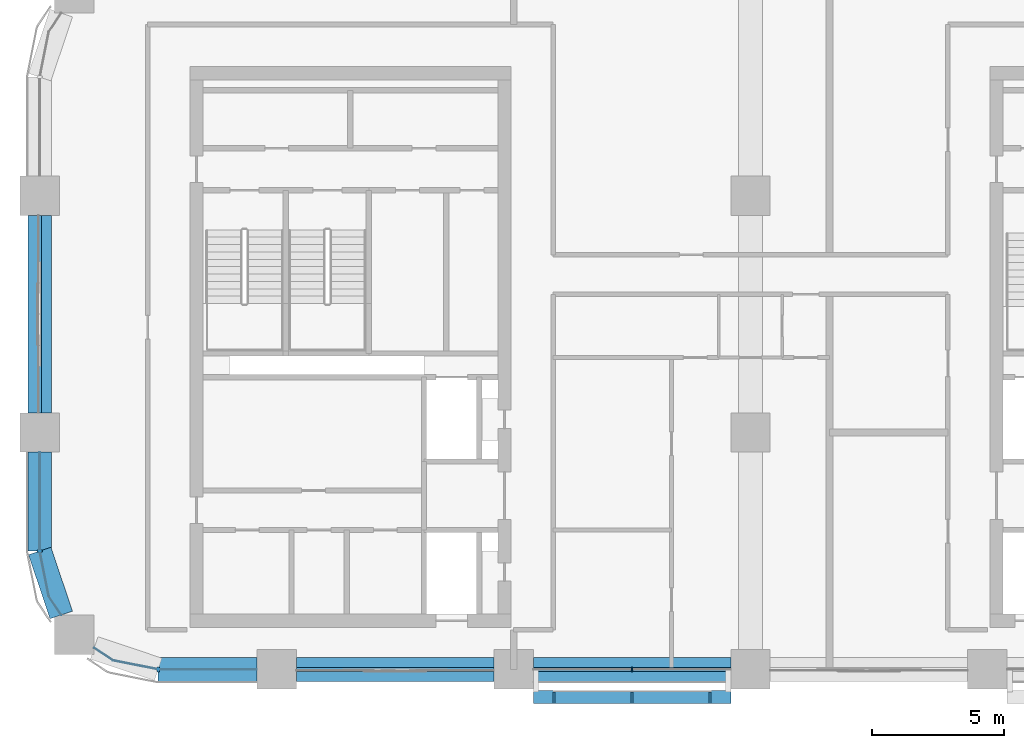
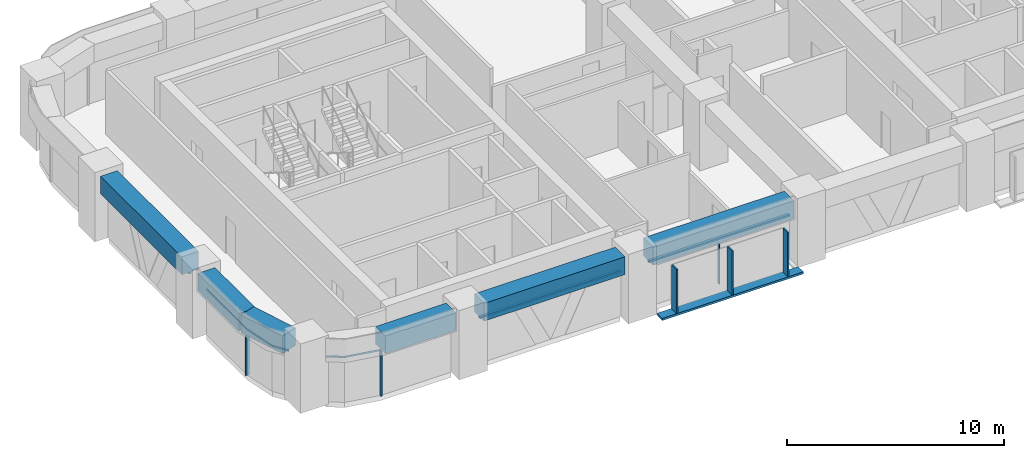
# One storey, part 2 of 13: 11 members, 7 beams, 5 elements without a shape of their own.
"""IFC4 building model written with IfcOpenShell, lengths in metres."""

from ifc_helpers import new_model, si_unit, direction, frame, origin, origin_2d, place, context, subcontext, project, spatial, polyline, rectangle, outline, extrude, material, material_profile, profile_set, type_object, element, aggregate, save


model = new_model("IFC4")

# Units and contexts
model_context = context("Model", 3, precision=1e-05, world=origin(), true_north=direction((0.0, 1.0)))
body_context = subcontext(model_context, "Body", "Model", "MODEL_VIEW")
ifc_project = project(units=[si_unit("LENGTHUNIT", "METRE"), si_unit("AREAUNIT", "SQUARE_METRE"), si_unit("VOLUMEUNIT", "CUBIC_METRE"), si_unit("PLANEANGLEUNIT", "RADIAN"), si_unit("MASSUNIT", "GRAM", prefix="KILO")], contexts=[model_context])

# Site, building, storey
site_placement = place(None, origin())
site = spatial("IfcSite", under=ifc_project, at=site_placement, CompositionType="ELEMENT")
building_placement = place(site_placement, origin())
building = spatial("IfcBuilding", under=site, at=building_placement, Name="Tessera Arch", CompositionType="ELEMENT")
storey_placement = place(building_placement, frame((0.0, 0.0, 158.300048828125)))
storey = spatial("IfcBuildingStorey", under=building, at=storey_placement, Name="L37", CompositionType="ELEMENT", Elevation=158.300048828125)

# Curtain wall, members
ifc_material_1 = material(Name="CW1 curtain wall")
curtain_wall_type_1 = type_object("IfcCurtainWallType", Name="CW1 curtain wall", PredefinedType="NOTDEFINED", material=ifc_material_1)
curtain_wall_1_placement = place(storey_placement, origin())
curtain_wall_1 = element("IfcCurtainWall", 1, at=curtain_wall_1_placement, inside=storey, type_object=curtain_wall_type_1, Name="CW1 curtain wall S27.0/2 L37", PredefinedType="NOTDEFINED")
ifc_material_2 = material(Name="Anodised aluminium pale metal", Category="aluminium")
ifc_material_profile_1 = material_profile(ifc_material_2, rectangle(XDim=0.159912109375, YDim=0.06005859375, at=origin_2d()), Name="AL 60x160")
ifc_profile_set_1 = profile_set([ifc_material_profile_1], Name="Anodised aluminium pale metal")
member_type_1 = type_object("IfcMemberType", Name="CW1 mullion", PredefinedType="MULLION", material=ifc_profile_set_1)
member_1_placement = place(storey_placement, frame((22.5, 27.0, 0.0), z_axis=(0.0, 0.0, 1.0), x_axis=(0.0, 1.0, 0.0)))
member_1 = element("IfcMember", 2, at=member_1_placement, type_object=member_type_1, Name="CW1 mullion S27.0/2 1", PredefinedType="MULLION", context=body_context, shape_type="SweptSolid", body=[
    extrude(rectangle(XDim=0.159912109375, YDim=0.06005859375, at=origin_2d()), origin(), (0.0, 0.0, 1.0), 2.5),
])
ifc_material_3 = material(Name="Anodised aluminium pale metal", Category="aluminium")
ifc_material_profile_2 = material_profile(ifc_material_3, rectangle(XDim=0.159912109375, YDim=0.10009765625, at=origin_2d()), Name="AL 160x100")
ifc_profile_set_2 = profile_set([ifc_material_profile_2], Name="Anodised aluminium pale metal")
member_type_2 = type_object("IfcMemberType", Name="CW1 transom", PredefinedType="USERDEFINED", material=ifc_profile_set_2)
member_2_placement = place(storey_placement, frame((18.75, 27.0, 2.550048828125), z_axis=(1.0, 0.0, 0.0), x_axis=(0.0, 1.0, 0.0)))
member_2 = element("IfcMember", 3, at=member_2_placement, type_object=member_type_2, Name="CW1 transom S27.0/2 1.1", ObjectType="TRANSOM", PredefinedType="USERDEFINED", context=body_context, shape_type="SweptSolid", body=[
    extrude(rectangle(XDim=0.159912109375, YDim=0.10009765625, at=origin_2d()), origin(), (0.0, 0.0, 1.0), 7.5),
])
aggregate(curtain_wall_1, [member_1, member_2])

# Curtain wall, member
ifc_material_4 = material(Name="CW2 curtain wall")
curtain_wall_type_2 = type_object("IfcCurtainWallType", Name="CW2 curtain wall", PredefinedType="NOTDEFINED", material=ifc_material_4)
curtain_wall_2_placement = place(storey_placement, origin())
curtain_wall_2 = element("IfcCurtainWall", 4, at=curtain_wall_2_placement, inside=storey, type_object=curtain_wall_type_2, Name="CW2 curtain wall W0.27/2 L37", PredefinedType="NOTDEFINED")
ifc_material_5 = material(Name="Anodised aluminium pale metal", Category="aluminium")
ifc_material_profile_3 = material_profile(ifc_material_5, rectangle(XDim=0.199951171875, YDim=0.080078125, at=origin_2d()), Name="AL 80x200")
ifc_profile_set_3 = profile_set([ifc_material_profile_3], Name="Anodised aluminium pale metal")
member_type_3 = type_object("IfcMemberType", Name="CW2 mullion", PredefinedType="MULLION", material=ifc_profile_set_3)
member_3_placement = place(storey_placement, frame((0.0, 31.5, 0.0), z_axis=(0.0, 0.0, 1.0), x_axis=(1.0, 0.0, 0.0)))
member_3 = element("IfcMember", 5, at=member_3_placement, type_object=member_type_3, Name="CW2 mullion W0.27/2 1", PredefinedType="MULLION", context=body_context, shape_type="SweptSolid", body=[
    extrude(rectangle(XDim=0.199951171875, YDim=0.080078125, at=origin_2d()), origin(), (0.0, 0.0, 1.0), 2.5),
])

curtain_wall_3_placement = place(storey_placement, origin())
curtain_wall_3 = element("IfcCurtainWall", 6, at=curtain_wall_3_placement, inside=storey, type_object=curtain_wall_type_2, Name="CW2 curtain wall S27.0/0 L37", PredefinedType="NOTDEFINED")
member_4_placement = place(storey_placement, frame((4.5, 27.0, 0.0), z_axis=(0.0, 0.0, 1.0), x_axis=(0.0, 1.0, 0.0)))
member_4 = element("IfcMember", 7, at=member_4_placement, type_object=member_type_3, Name="CW2 mullion S27.0/0 1", PredefinedType="MULLION", context=body_context, shape_type="SweptSolid", body=[
    extrude(rectangle(XDim=0.199951171875, YDim=0.080078125, at=origin_2d()), origin(), (0.0, 0.0, 1.0), 2.5),
])

# Member
ifc_material_6 = material(Name="Anodised aluminium pale metal", Category="aluminium")
ifc_material_profile_4 = material_profile(ifc_material_6, rectangle(XDim=0.199951171875, YDim=0.10009765625, at=origin_2d()), Name="AL 200x100")
ifc_profile_set_4 = profile_set([ifc_material_profile_4], Name="Anodised aluminium pale metal")
member_type_4 = type_object("IfcMemberType", Name="CW2 transom", PredefinedType="USERDEFINED", material=ifc_profile_set_4)
member_5_placement = place(storey_placement, frame((0.0, 0.0, 2.5)))
member_5 = element("IfcMember", 8, at=member_5_placement, type_object=member_type_4, Name="CW2 transom W0.27/2 1", ObjectType="TRANSOM", PredefinedType="USERDEFINED", context=body_context, shape_type="SweptSolid", body=[
    extrude(outline(polyline([(0.010009765625, 31.5009765625), (0.010009765625, 35.25), (-0.010009765625, 35.25), (-0.010009765625, 31.4990234375), (0.3330078125, 29.77392578125), (0.80859375, 29.0625), (0.8251953125, 29.073486328125), (0.351806640625, 29.78173828125), (0.010009765625, 31.5009765625)])), origin(), (0.0, 0.0, 1.0), 0.099853515625),
])

aggregate(curtain_wall_2, [member_3, member_5])

member_6_placement = place(storey_placement, frame((0.0, 0.0, 2.5)))
member_6 = element("IfcMember", 9, at=member_6_placement, type_object=member_type_4, Name="CW2 transom S27.0/0 1", ObjectType="TRANSOM", PredefinedType="USERDEFINED", context=body_context, shape_type="SweptSolid", body=[
    extrude(outline(polyline([(2.78173828125, 27.351806640625), (2.073486328125, 27.8251953125), (2.0625, 27.80859375), (2.77392578125, 27.3330078125), (4.4990234375, 26.989990234375), (8.25, 26.989990234375), (8.25, 27.010009765625), (4.5009765625, 27.010009765625), (2.78173828125, 27.351806640625)])), origin(), (0.0, 0.0, 1.0), 0.099853515625),
])

aggregate(curtain_wall_3, [member_4, member_6])

# Curtain wall, member
ifc_material_7 = material(Name="CW3 curtain wall")
curtain_wall_type_3 = type_object("IfcCurtainWallType", Name="CW3 curtain wall", PredefinedType="NOTDEFINED", material=ifc_material_7)
curtain_wall_4_placement = place(storey_placement, origin())
curtain_wall_4 = element("IfcCurtainWall", 10, at=curtain_wall_4_placement, inside=storey, type_object=curtain_wall_type_3, Name="CW3 curtain wall W0.27/1 L37", PredefinedType="NOTDEFINED")
ifc_material_8 = material(Name="Anodised aluminium pale metal", Category="aluminium")
ifc_material_profile_5 = material_profile(ifc_material_8, rectangle(XDim=0.139892578125, YDim=0.10009765625, at=origin_2d()), Name="AL 140x100")
ifc_profile_set_5 = profile_set([ifc_material_profile_5], Name="Anodised aluminium pale metal")
member_type_5 = type_object("IfcMemberType", Name="CW3 transom", PredefinedType="USERDEFINED", material=ifc_profile_set_5)
member_7_placement = place(storey_placement, frame((0.0, 44.25, 2.550048828125), z_axis=(0.0, -1.0, 0.0), x_axis=(1.0, 0.0, 0.0)))
member_7 = element("IfcMember", 11, at=member_7_placement, type_object=member_type_5, Name="CW3 transom W0.27/1 1.1", ObjectType="TRANSOM", PredefinedType="USERDEFINED", context=body_context, shape_type="SweptSolid", body=[
    extrude(rectangle(XDim=0.139892578125, YDim=0.10009765625, at=origin_2d()), origin(), (0.0, 0.0, 1.0), 7.5),
])
aggregate(curtain_wall_4, [member_7])

curtain_wall_5_placement = place(storey_placement, origin())
curtain_wall_5 = element("IfcCurtainWall", 12, at=curtain_wall_5_placement, inside=storey, type_object=curtain_wall_type_3, Name="CW3 curtain wall S27.0/1 L37", PredefinedType="NOTDEFINED")
member_8_placement = place(storey_placement, frame((9.75, 27.0, 2.550048828125), z_axis=(1.0, 0.0, 0.0), x_axis=(0.0, 1.0, 0.0)))
member_8 = element("IfcMember", 13, at=member_8_placement, type_object=member_type_5, Name="CW3 transom S27.0/1 1.1", ObjectType="TRANSOM", PredefinedType="USERDEFINED", context=body_context, shape_type="SweptSolid", body=[
    extrude(rectangle(XDim=0.139892578125, YDim=0.10009765625, at=origin_2d()), origin(), (0.0, 0.0, 1.0), 7.5),
])
aggregate(curtain_wall_5, [member_8])

# Members
ifc_material_9 = material(Name="Anodised aluminium pale metal", Category="aluminium")
ifc_material_profile_6 = material_profile(ifc_material_9, rectangle(XDim=0.449951171875, YDim=0.080078125, at=origin_2d()), Name="AL 80x450")
ifc_profile_set_6 = profile_set([ifc_material_profile_6], Name="Anodised aluminium pale metal")
member_type_6 = type_object("IfcMemberType", Name="Mashrabiya fin", PredefinedType="USERDEFINED", material=ifc_profile_set_6)
for number, where, z_axis, x_axis, name in (
    (14, (19.5400390625, 25.925048828125, 0.119873046875), (0.0, 0.0, 1.0), (0.0, -1.0, 0.0), "FIN mashrabiya S27.0/2 1"),
    (15, (22.5, 25.925048828125, 0.119873046875), (0.0, 0.0, 1.0), (0.0, -1.0, 0.0), "FIN mashrabiya S27.0/2 2"),
    (16, (25.4599609375, 25.925048828125, 0.119873046875), (0.0, 0.0, 1.0), (0.0, -1.0, 0.0), "FIN mashrabiya S27.0/2 3"),
):
    element("IfcMember", number, at=place(storey_placement, frame(where, z_axis=z_axis, x_axis=x_axis)), inside=storey, type_object=member_type_6, Name=name, ObjectType="FIN", PredefinedType="USERDEFINED", context=body_context, shape_type="SweptSolid", body=[
        extrude(rectangle(XDim=0.449951171875, YDim=0.080078125, at=origin_2d()), origin(), (0.0, 0.0, 1.0), 2.47998046875),
    ])

# Beams
ifc_material_10 = material(Name="Concrete C70/85", Category="concrete")
ifc_material_profile_7 = material_profile(ifc_material_10, rectangle(XDim=0.89990234375, YDim=1.0, at=origin_2d()), Name="RC spandrel beam 900 x 1000 Concrete C70/85")
ifc_profile_set_7 = profile_set([ifc_material_profile_7], Name="Concrete C70/85")
beam_type_1 = type_object("IfcBeamType", Name="RC spandrel beam 900 x 1000 Concrete C70/85", PredefinedType="BEAM", material=ifc_profile_set_7)
beam_1_placement = place(storey_placement, frame((0.0, 44.25, 3.099853515625), z_axis=(0.0, -1.0, 0.0), x_axis=(1.0, 0.0, 0.0)))
element("IfcBeam", 17, at=beam_1_placement, inside=storey, type_object=beam_type_1, Name="Spandrel beam L37 W0.27/1", PredefinedType="BEAM", context=body_context, shape_type="SweptSolid", body=[
    extrude(rectangle(XDim=0.89990234375, YDim=1.0, at=origin_2d()), origin(), (0.0, 0.0, 1.0), 7.5),
])
beam_2_placement = place(storey_placement, frame((0.0, 35.25, 3.099853515625), z_axis=(0.0, -1.0, 0.0), x_axis=(1.0, 0.0, 0.0)))
element("IfcBeam", 18, at=beam_2_placement, inside=storey, type_object=beam_type_1, Name="Spandrel beam L37 W0.27/2.1", PredefinedType="BEAM", context=body_context, shape_type="SweptSolid", body=[
    extrude(rectangle(XDim=0.89990234375, YDim=1.0, at=origin_2d()), origin(), (0.0, 0.0, 1.0), 3.75),
])
beam_3_placement = place(storey_placement, frame((0.0, 31.5, 3.099853515625), z_axis=(0.31842525032, -0.947947973234, 0.0), x_axis=(0.947947973234, 0.31842525032, 0.0)))
element("IfcBeam", 19, at=beam_3_placement, inside=storey, type_object=beam_type_1, Name="Spandrel beam L37 W0.27/2.2", PredefinedType="BEAM", context=body_context, shape_type="SweptSolid", body=[
    extrude(rectangle(XDim=0.89990234375, YDim=1.0, at=origin_2d()), origin(), (0.0, 0.0, 1.0), 2.5654296875),
])
beam_4_placement = place(storey_placement, frame((4.5, 27.0, 3.099853515625), z_axis=(1.0, 0.0, 0.0), x_axis=(0.0, 1.0, 0.0)))
element("IfcBeam", 20, at=beam_4_placement, inside=storey, type_object=beam_type_1, Name="Spandrel beam L37 S27.0/0.2", PredefinedType="BEAM", context=body_context, shape_type="SweptSolid", body=[
    extrude(rectangle(XDim=0.89990234375, YDim=1.0, at=origin_2d()), origin(), (0.0, 0.0, 1.0), 3.75),
])
for number, where, z_axis, x_axis, name in (
    (21, (9.75, 27.0, 3.099853515625), (1.0, 0.0, 0.0), (0.0, 1.0, 0.0), "Spandrel beam L37 S27.0/1"),
    (22, (18.75, 27.0, 3.099853515625), (1.0, 0.0, 0.0), (0.0, 1.0, 0.0), "Spandrel beam L37 S27.0/2"),
):
    element("IfcBeam", number, at=place(storey_placement, frame(where, z_axis=z_axis, x_axis=x_axis)), inside=storey, type_object=beam_type_1, Name=name, PredefinedType="BEAM", context=body_context, shape_type="SweptSolid", body=[
        extrude(rectangle(XDim=0.89990234375, YDim=1.0, at=origin_2d()), origin(), (0.0, 0.0, 1.0), 7.5),
    ])
ifc_material_11 = material(Name="Aluminium alloy 6063-T6", Category="aluminium")
ifc_material_profile_8 = material_profile(ifc_material_11, rectangle(XDim=0.489990234375, YDim=0.1201171875, at=origin_2d()), Name="AL 490x120")
ifc_profile_set_8 = profile_set([ifc_material_profile_8], Name="Aluminium alloy 6063-T6")
beam_type_2 = type_object("IfcBeamType", Name="Screen sill beam", PredefinedType="BEAM", material=ifc_profile_set_8)
beam_5_placement = place(storey_placement, frame((18.75, 25.945068359375, 0.06005859375), z_axis=(1.0, 0.0, 0.0), x_axis=(0.0, 1.0, 0.0)))
element("IfcBeam", 23, at=beam_5_placement, inside=storey, type_object=beam_type_2, Name="Screen sill beam", PredefinedType="BEAM", context=body_context, shape_type="SweptSolid", body=[
    extrude(rectangle(XDim=0.489990234375, YDim=0.1201171875, at=origin_2d()), origin(), (0.0, 0.0, 1.0), 7.5),
])

save(model, "model.ifc")
